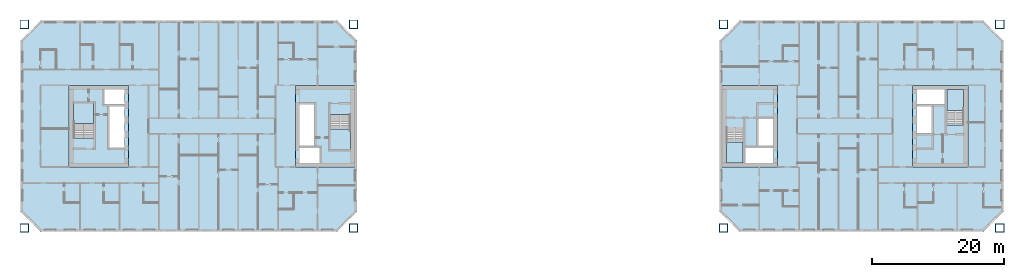
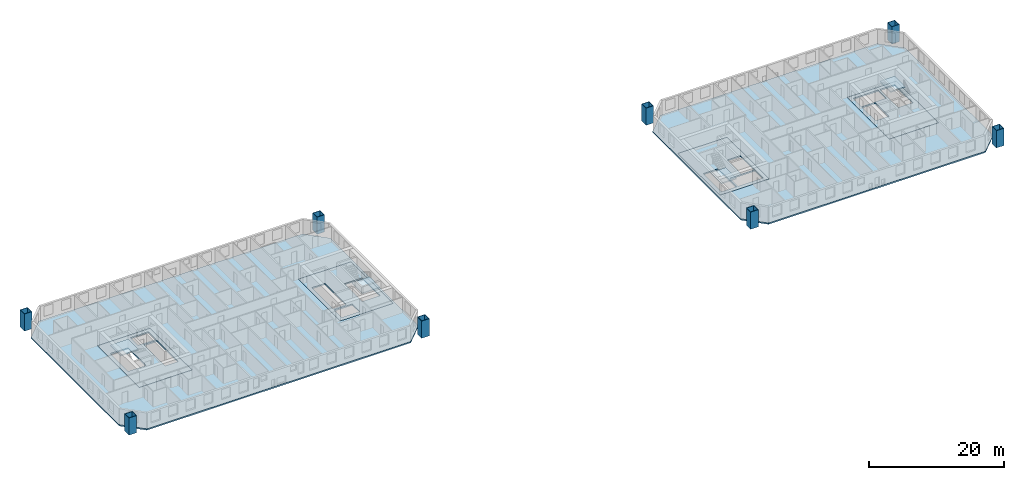
# One storey, part 1 of 16: 10 slabs, 8 columns, 4 elements without a shape of their own.
"""IFC4 building model written with IfcOpenShell, lengths in metres."""

from ifc_helpers import new_model, si_unit, direction, frame, origin, origin_2d, place, context, subcontext, project, spatial, polyline, hollow_rectangle, outline, extrude, material, layer, layer_set, material_profile, profile_set, type_object, element, aggregate, save


model = new_model("IFC4")

# Units and contexts
model_context = context("Model", 3, precision=1e-05, world=origin(), true_north=direction((0.0, 1.0)))
body_context = subcontext(model_context, "Body", "Model", "MODEL_VIEW")
ifc_project = project(units=[si_unit("LENGTHUNIT", "METRE"), si_unit("AREAUNIT", "SQUARE_METRE"), si_unit("VOLUMEUNIT", "CUBIC_METRE"), si_unit("PLANEANGLEUNIT", "RADIAN"), si_unit("MASSUNIT", "GRAM", prefix="KILO")], contexts=[model_context])

# Site, building, storey
site_placement = place(None, origin())
site = spatial("IfcSite", under=ifc_project, at=site_placement, CompositionType="ELEMENT")
building_placement = place(site_placement, origin())
building = spatial("IfcBuilding", under=site, at=building_placement, Name="Tuart Gate Housing", CompositionType="ELEMENT")
storey_placement = place(building_placement, frame((0.0, 0.0, 111.89990234375)))
storey = spatial("IfcBuildingStorey", under=building, at=storey_placement, Name="L31", CompositionType="ELEMENT", Elevation=111.89990234375)

# Columns
ifc_material_1 = material(Name="Steel Grade 350", Category="steel")
ifc_material_profile = material_profile(ifc_material_1, hollow_rectangle(XDim=1.300048828125, YDim=1.300048828125, WallThickness=0.070068359375, at=origin_2d()), Name="BOX 1300x1300x70")
ifc_profile_set = profile_set([ifc_material_profile], Name="Steel Grade 350")
column_type = type_object("IfcColumnType", Name="Mega column BOX 1300x1300x70", PredefinedType="COLUMN", material=ifc_profile_set)
for number, where, z_axis, x_axis, name in (
    (1, (25.550048828125, 54.550048828125, 0.0), (0.0, 0.0, 1.0), (1.0, 0.0, 0.0), "Mega column A south-west L31"),
    (2, (75.449951171875, 54.550048828125, 0.0), (0.0, 0.0, 1.0), (1.0, 0.0, 0.0), "Mega column A south-east L31"),
    (3, (75.449951171875, 85.449951171875, 0.0), (0.0, 0.0, 1.0), (1.0, 0.0, 0.0), "Mega column A north-east L31"),
    (4, (25.550048828125, 85.449951171875, 0.0), (0.0, 0.0, 1.0), (1.0, 0.0, 0.0), "Mega column A north-west L31"),
    (5, (131.550048828125, 54.550048828125, 0.0), (0.0, 0.0, 1.0), (1.0, 0.0, 0.0), "Mega column B south-west L31"),
    (6, (173.449951171875, 54.550048828125, 0.0), (0.0, 0.0, 1.0), (1.0, 0.0, 0.0), "Mega column B south-east L31"),
    (7, (173.449951171875, 85.449951171875, 0.0), (0.0, 0.0, 1.0), (1.0, 0.0, 0.0), "Mega column B north-east L31"),
    (8, (131.550048828125, 85.449951171875, 0.0), (0.0, 0.0, 1.0), (1.0, 0.0, 0.0), "Mega column B north-west L31"),
):
    element("IfcColumn", number, at=place(storey_placement, frame(where, z_axis=z_axis, x_axis=x_axis)), inside=storey, type_object=column_type, Name=name, PredefinedType="COLUMN", context=body_context, shape_type="SweptSolid", body=[
        extrude(hollow_rectangle(XDim=1.300048828125, YDim=1.300048828125, WallThickness=0.070068359375, at=origin_2d()), origin(), (0.0, 0.0, 1.0), 3.10009765625),
    ])

# Slabs
ifc_material_2 = material(Name="Concrete C40", Category="concrete")
ifc_layer_1 = layer(ifc_material_2, 0.25)
ifc_layer_set_1 = layer_set([ifc_layer_1], Name="Core floor slab 250")
slab_type_1 = type_object("IfcSlabType", Name="Core floor slab 250", PredefinedType="FLOOR", material=ifc_layer_set_1)
slab_1_placement = place(storey_placement, frame((0.0, 0.0, -0.25)))
element("IfcSlab", 9, at=slab_1_placement, inside=storey, type_object=slab_type_1, Name="Core floor AG", PredefinedType="FLOOR", context=body_context, shape_type="SweptSolid", body=[
    extrude(outline(polyline([(66.639892578125, 63.800048828125), (75.639892578125, 63.800048828125), (75.639892578125, 76.199951171875), (66.639892578125, 76.199951171875), (66.639892578125, 63.800048828125)]), holes=[polyline([(67.2900390625, 64.449951171875), (70.360107421875, 64.449951171875), (70.360107421875, 66.699951171875), (67.2900390625, 66.699951171875), (67.2900390625, 64.449951171875)]), polyline([(67.2900390625, 67.0), (69.5400390625, 67.0), (69.5400390625, 73.300048828125), (67.2900390625, 73.300048828125), (67.2900390625, 67.0)]), polyline([(71.93994140625, 66.5), (74.989990234375, 66.5), (74.989990234375, 71.780029296875), (71.93994140625, 71.780029296875), (71.93994140625, 66.5)])]), origin(), (0.0, 0.0, 1.0), 0.25),
])
slab_2_placement = place(storey_placement, frame((0.0, 0.0, -0.25)))
element("IfcSlab", 10, at=slab_2_placement, inside=storey, type_object=slab_type_1, Name="Core floor AK", PredefinedType="FLOOR", context=body_context, shape_type="SweptSolid", body=[
    extrude(outline(polyline([(32.360107421875, 63.800048828125), (41.360107421875, 63.800048828125), (41.360107421875, 76.199951171875), (32.360107421875, 76.199951171875), (32.360107421875, 63.800048828125)]), holes=[polyline([(40.7099609375, 75.550048828125), (37.639892578125, 75.550048828125), (37.639892578125, 73.300048828125), (40.7099609375, 73.300048828125), (40.7099609375, 75.550048828125)]), polyline([(40.7099609375, 73.0), (38.4599609375, 73.0), (38.4599609375, 66.699951171875), (40.7099609375, 66.699951171875), (40.7099609375, 73.0)]), polyline([(36.06005859375, 73.5), (33.010009765625, 73.5), (33.010009765625, 68.219970703125), (36.06005859375, 68.219970703125), (36.06005859375, 73.5)])]), origin(), (0.0, 0.0, 1.0), 0.25),
])
slab_3_placement = place(storey_placement, frame((0.0, 0.0, -0.25)))
element("IfcSlab", 11, at=slab_3_placement, inside=storey, type_object=slab_type_1, Name="Core floor BG", PredefinedType="FLOOR", context=body_context, shape_type="SweptSolid", body=[
    extrude(outline(polyline([(131.360107421875, 63.800048828125), (139.760009765625, 63.800048828125), (139.760009765625, 76.199951171875), (131.360107421875, 76.199951171875), (131.360107421875, 63.800048828125)]), holes=[polyline([(139.110107421875, 66.85009765625), (134.860107421875, 66.85009765625), (134.860107421875, 64.449951171875), (139.110107421875, 64.449951171875), (139.110107421875, 66.85009765625)]), polyline([(139.110107421875, 71.10009765625), (136.860107421875, 71.10009765625), (136.860107421875, 67.0), (139.110107421875, 67.0), (139.110107421875, 71.10009765625)]), polyline([(134.56005859375, 69.830078125), (132.010009765625, 69.830078125), (132.010009765625, 64.449951171875), (134.56005859375, 64.449951171875), (134.56005859375, 69.830078125)])]), origin(), (0.0, 0.0, 1.0), 0.25),
])
slab_4_placement = place(storey_placement, frame((0.0, 0.0, -0.25)))
element("IfcSlab", 12, at=slab_4_placement, inside=storey, type_object=slab_type_1, Name="Core floor BK", PredefinedType="FLOOR", context=body_context, shape_type="SweptSolid", body=[
    extrude(outline(polyline([(160.239990234375, 63.800048828125), (168.639892578125, 63.800048828125), (168.639892578125, 76.199951171875), (160.239990234375, 76.199951171875), (160.239990234375, 63.800048828125)]), holes=[polyline([(160.889892578125, 73.14990234375), (165.139892578125, 73.14990234375), (165.139892578125, 75.550048828125), (160.889892578125, 75.550048828125), (160.889892578125, 73.14990234375)]), polyline([(160.889892578125, 68.89990234375), (163.139892578125, 68.89990234375), (163.139892578125, 73.0), (160.889892578125, 73.0), (160.889892578125, 68.89990234375)]), polyline([(165.43994140625, 70.169921875), (167.989990234375, 70.169921875), (167.989990234375, 75.550048828125), (165.43994140625, 75.550048828125), (165.43994140625, 70.169921875)])]), origin(), (0.0, 0.0, 1.0), 0.25),
])
ifc_material_3 = material(Name="Concrete C40", Category="concrete")
ifc_layer_2 = layer(ifc_material_3, 0.25)
ifc_layer_set_2 = layer_set([ifc_layer_2], Name="Flat plate 250")
slab_type_2 = type_object("IfcSlabType", Name="Flat plate 250", PredefinedType="FLOOR", material=ifc_layer_set_2)
slab_5_placement = place(storey_placement, frame((0.0, 0.0, -0.25)))
element("IfcSlab", 13, at=slab_5_placement, inside=storey, type_object=slab_type_2, Name="Floor slab A L31", PredefinedType="FLOOR", context=body_context, shape_type="SweptSolid", body=[
    extrude(outline(polyline([(28.0, 86.0), (25.0, 83.0), (25.0, 57.0), (28.0, 54.0), (73.0, 54.0), (76.0, 57.0), (76.0, 83.0), (73.0, 86.0), (28.0, 86.0)]), holes=[polyline([(66.639892578125, 76.199951171875), (75.639892578125, 76.199951171875), (75.639892578125, 63.800048828125), (66.639892578125, 63.800048828125), (66.639892578125, 76.199951171875)]), polyline([(41.360107421875, 76.199951171875), (41.360107421875, 63.800048828125), (32.360107421875, 63.800048828125), (32.360107421875, 76.199951171875), (41.360107421875, 76.199951171875)])]), origin(), (0.0, 0.0, 1.0), 0.25),
])
slab_6_placement = place(storey_placement, frame((0.0, 0.0, -0.25)))
element("IfcSlab", 14, at=slab_6_placement, inside=storey, type_object=slab_type_2, Name="Floor slab B L31", PredefinedType="FLOOR", context=body_context, shape_type="SweptSolid", body=[
    extrude(outline(polyline([(134.0, 86.0), (131.0, 83.0), (131.0, 57.0), (134.0, 54.0), (171.0, 54.0), (174.0, 57.0), (174.0, 83.0), (171.0, 86.0), (134.0, 86.0)]), holes=[polyline([(131.360107421875, 76.199951171875), (139.760009765625, 76.199951171875), (139.760009765625, 63.800048828125), (131.360107421875, 63.800048828125), (131.360107421875, 76.199951171875)]), polyline([(168.639892578125, 76.199951171875), (168.639892578125, 63.800048828125), (160.239990234375, 63.800048828125), (160.239990234375, 76.199951171875), (168.639892578125, 76.199951171875)])]), origin(), (0.0, 0.0, 1.0), 0.25),
])

# Stair, slab
ifc_material_4 = material(Name="Concrete C40", Category="concrete")
stair_type_1 = type_object("IfcStairType", Name="Core stair 1500", PredefinedType="HALF_TURN_STAIR", material=ifc_material_4)
stair_1_placement = place(storey_placement, origin())
stair_1 = element("IfcStair", 15, at=stair_1_placement, inside=storey, type_object=stair_type_1, Name="Stair SA1", PredefinedType="HALF_TURN_STAIR")
ifc_material_5 = material(Name="Concrete C40", Category="concrete")
ifc_layer_3 = layer(ifc_material_5, 0.199951171875)
ifc_layer_set_3 = layer_set([ifc_layer_3], Name="Stair landing 200")
slab_type_3 = type_object("IfcSlabType", Name="Stair landing 200", PredefinedType="LANDING", material=ifc_layer_set_3)
slab_7_placement = place(storey_placement, frame((0.0, 0.0, 1.35009765625)))
slab_7 = element("IfcSlab", 16, at=slab_7_placement, type_object=slab_type_3, Name="SA1 landing 1", PredefinedType="LANDING", context=body_context, shape_type="SweptSolid", body=[
    extrude(outline(polyline([(71.93994140625, 66.5), (74.989990234375, 66.5), (74.989990234375, 69.56005859375), (71.93994140625, 69.56005859375), (71.93994140625, 66.5)])), origin(), (0.0, 0.0, 1.0), 0.199951171875),
])
aggregate(stair_1, [slab_7])

stair_2_placement = place(storey_placement, origin())
stair_2 = element("IfcStair", 17, at=stair_2_placement, inside=storey, type_object=stair_type_1, Name="Stair SA2", PredefinedType="HALF_TURN_STAIR")
slab_8_placement = place(storey_placement, frame((0.0, 0.0, 1.35009765625)))
slab_8 = element("IfcSlab", 18, at=slab_8_placement, type_object=slab_type_3, Name="SA2 landing 1", PredefinedType="LANDING", context=body_context, shape_type="SweptSolid", body=[
    extrude(outline(polyline([(36.06005859375, 73.5), (33.010009765625, 73.5), (33.010009765625, 70.43994140625), (36.06005859375, 70.43994140625), (36.06005859375, 73.5)])), origin(), (0.0, 0.0, 1.0), 0.199951171875),
])
aggregate(stair_2, [slab_8])

ifc_material_6 = material(Name="Concrete C40", Category="concrete")
stair_type_2 = type_object("IfcStairType", Name="Core stair 1250", PredefinedType="HALF_TURN_STAIR", material=ifc_material_6)
stair_3_placement = place(storey_placement, origin())
stair_3 = element("IfcStair", 19, at=stair_3_placement, inside=storey, type_object=stair_type_2, Name="Stair SB1", PredefinedType="HALF_TURN_STAIR")
slab_9_placement = place(storey_placement, frame((0.0, 0.0, 1.35009765625)))
slab_9 = element("IfcSlab", 20, at=slab_9_placement, type_object=slab_type_3, Name="SB1 landing 1", PredefinedType="LANDING", context=body_context, shape_type="SweptSolid", body=[
    extrude(outline(polyline([(134.56005859375, 67.610107421875), (132.010009765625, 67.610107421875), (132.010009765625, 64.449951171875), (134.56005859375, 64.449951171875), (134.56005859375, 67.610107421875)])), origin(), (0.0, 0.0, 1.0), 0.199951171875),
])
aggregate(stair_3, [slab_9])

stair_4_placement = place(storey_placement, origin())
stair_4 = element("IfcStair", 21, at=stair_4_placement, inside=storey, type_object=stair_type_2, Name="Stair SB2", PredefinedType="HALF_TURN_STAIR")
slab_10_placement = place(storey_placement, frame((0.0, 0.0, 1.35009765625)))
slab_10 = element("IfcSlab", 22, at=slab_10_placement, type_object=slab_type_3, Name="SB2 landing 1", PredefinedType="LANDING", context=body_context, shape_type="SweptSolid", body=[
    extrude(outline(polyline([(165.43994140625, 72.389892578125), (167.989990234375, 72.389892578125), (167.989990234375, 75.550048828125), (165.43994140625, 75.550048828125), (165.43994140625, 72.389892578125)])), origin(), (0.0, 0.0, 1.0), 0.199951171875),
])
aggregate(stair_4, [slab_10])

save(model, "model.ifc")
